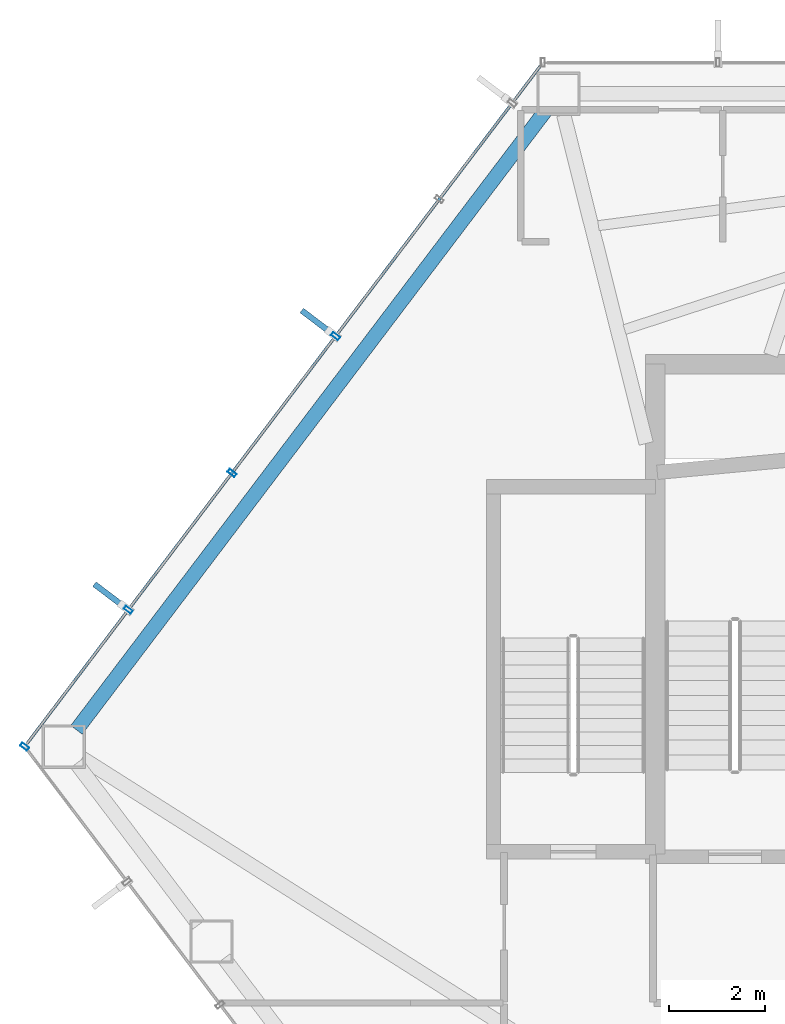
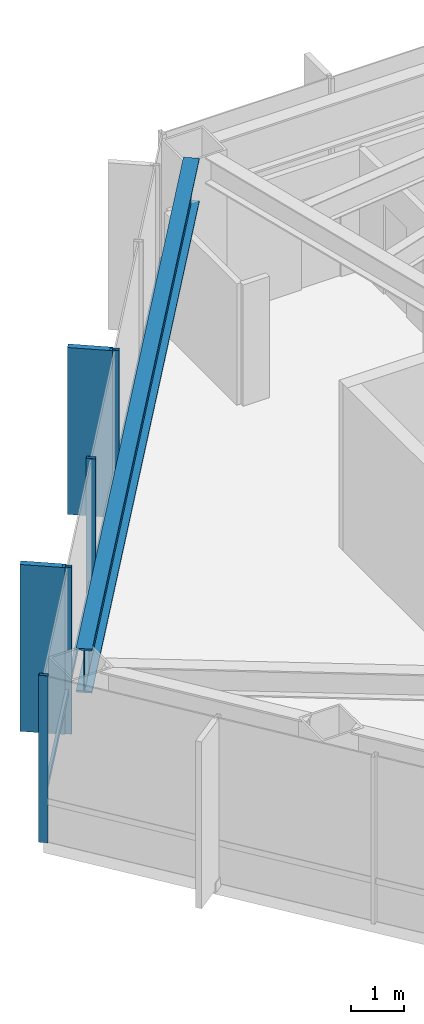
# One storey, part 10 of 24: 7 members, 1 beam, 1 element without a shape of its own.
"""IFC4 building model written with IfcOpenShell, lengths in metres."""

import ifcopenshell
import ifcopenshell.guid

model = None  # the IFC model being written
_history = None  # IfcOwnerHistory: only IFC2X3 demands one
_inside = {}  # id of a spatial element -> (the spatial element, [elements in it])
_under = {}  # id of a project, library or spatial element -> (it, [spatial elements below it])
_declared = {}  # id of a project -> (the project, [libraries it declares])
_typed = {}  # id of a type object -> (the type object, [elements of that type])
_made_of = {}  # id of a material, layer set ... -> (it, [elements and type objects made of it])


def new_model(schema):
    """Start an empty IFC model of exactly this schema.

    Asked for "IFC4X3", IfcOpenShell would pick the latest addendum, in which some entities
    have other attributes; the version numbers below select the first issue.
    IFC2X3 requires an IfcOwnerHistory on every rooted entity: one is made here for all.
    """
    global model, _history
    if schema == "IFC4X3":
        model = ifcopenshell.file(schema_version=(4, 3, 0, 0))
    else:
        model = ifcopenshell.file(schema=schema)
    _inside.clear()
    _under.clear()
    _declared.clear()
    _typed.clear()
    _made_of.clear()
    _history = None
    if model.schema == "IFC2X3":
        org = make("IfcOrganization", Name="unknown")
        user = make(
            "IfcPersonAndOrganization",
            ThePerson=make("IfcPerson", FamilyName="unknown"),
            TheOrganization=org,
        )
        app = make(
            "IfcApplication",
            ApplicationDeveloper=org,
            Version="unknown",
            ApplicationFullName="unknown",
            ApplicationIdentifier="unknown",
        )
        _history = make(
            "IfcOwnerHistory",
            OwningUser=user,
            OwningApplication=app,
            ChangeAction="ADDED",
            CreationDate=0,
        )
    return model


def make(cls, **values):
    """One entity of the class cls with the attributes given. An attribute that is None is left unset."""
    return model.create_entity(
        cls, **{name: value for name, value in values.items() if value is not None}
    )


def rooted(cls, **values):
    """An entity with a GlobalId (a new one), such as an element, a storey or a relation."""
    return make(cls, GlobalId=ifcopenshell.guid.new(), OwnerHistory=_history, **values)


def si_unit(unit_type, name, prefix=None):
    """IfcSIUnit, for example si_unit("LENGTHUNIT", "METRE", prefix="MILLI")."""
    return make("IfcSIUnit", UnitType=unit_type, Prefix=prefix, Name=name)


def assignment(units):
    """IfcUnitAssignment: the units of a project."""
    return None if units is None else make("IfcUnitAssignment", Units=units)


def point(xyz):
    """IfcCartesianPoint."""
    return None if xyz is None else make("IfcCartesianPoint", Coordinates=xyz)


def direction(xyz):
    """IfcDirection."""
    return None if xyz is None else make("IfcDirection", DirectionRatios=xyz)


def frame(location, z_axis=None, x_axis=None):
    """IfcAxis2Placement3D, a coordinate frame: its origin and axes. An axis left out is left unset."""
    return make(
        "IfcAxis2Placement3D",
        Location=point(location),
        Axis=direction(z_axis),
        RefDirection=direction(x_axis),
    )


def frame_2d(location, x_axis=None):
    """IfcAxis2Placement2D, a coordinate frame in the plane: its origin and x axis."""
    return make(
        "IfcAxis2Placement2D", Location=point(location), RefDirection=direction(x_axis)
    )


def origin():
    """The frame at (0, 0, 0) with its axes left unset."""
    return frame((0.0, 0.0, 0.0))


def origin_2d():
    """The frame at (0, 0) in the plane with its x axis left unset."""
    return frame_2d((0.0, 0.0))


def place(relative_to, where):
    """IfcLocalPlacement: puts the frame where relative to a parent placement (None: the world)."""
    return make(
        "IfcLocalPlacement", PlacementRelTo=relative_to, RelativePlacement=where
    )


def context(
    kind, dimensions, precision=None, world=None, true_north=None, identifier=None
):
    """IfcGeometricRepresentationContext, for example the 3D "Model" context."""
    return make(
        "IfcGeometricRepresentationContext",
        ContextIdentifier=identifier,
        ContextType=kind,
        CoordinateSpaceDimension=dimensions,
        Precision=precision,
        WorldCoordinateSystem=world,
        TrueNorth=true_north,
    )


def subcontext(parent, identifier, kind, view, scale=None):
    """IfcGeometricRepresentationSubContext, for example "Body" below "Model"."""
    return make(
        "IfcGeometricRepresentationSubContext",
        ContextIdentifier=identifier,
        ContextType=kind,
        ParentContext=parent,
        TargetScale=scale,
        TargetView=view,
    )


def project(units=None, contexts=None):
    """IfcProject with its units and contexts."""
    return rooted(
        "IfcProject",
        Name="project",
        RepresentationContexts=contexts,
        UnitsInContext=assignment(units),
    )


def spatial(cls, under=None, at=None, **own):
    """A site, building, storey or space (cls), placed at a placement, below another one or the project."""
    s = rooted(cls, ObjectPlacement=at, **own)
    if under is not None:
        _under.setdefault(under.id(), (under, []))[1].append(s)
    return s


def profile(cls, at=None, kind="AREA", **sizes):
    """A parametric profile (cls). Its sizes go by their IFC names, for example OverallWidth=200.0."""
    return make(cls, ProfileType=kind, Position=at, **sizes)


def rectangle(**sizes):
    """IfcRectangleProfileDef."""
    return profile("IfcRectangleProfileDef", **sizes)


def hollow_rectangle(**sizes):
    """IfcRectangleHollowProfileDef."""
    return profile("IfcRectangleHollowProfileDef", **sizes)


def i_section(**sizes):
    """IfcIShapeProfileDef."""
    return profile("IfcIShapeProfileDef", **sizes)


def extrude(swept, where, along, depth):
    """IfcExtrudedAreaSolid: the profile swept, set in the frame where, extruded along a direction by depth."""
    return make(
        "IfcExtrudedAreaSolid",
        SweptArea=swept,
        Position=where,
        ExtrudedDirection=direction(along),
        Depth=depth,
    )


def shape(context_of_items, identifier, shape_type, items):
    """IfcShapeRepresentation: the items that make up one representation, for example the "Body"."""
    return make(
        "IfcShapeRepresentation",
        ContextOfItems=context_of_items,
        RepresentationIdentifier=identifier,
        RepresentationType=shape_type,
        Items=items,
    )


def material(Name=None, Category=None):
    """IfcMaterial."""
    return make("IfcMaterial", Name=Name, Category=Category)


def layer(
    of_material, thickness, ventilated=None, Name=None, Category=None, Priority=None
):
    """IfcMaterialLayer: one layer of a wall or slab, of a material (None: an air gap)."""
    return make(
        "IfcMaterialLayer",
        Material=of_material,
        LayerThickness=thickness,
        IsVentilated=ventilated,
        Name=Name,
        Category=Category,
        Priority=Priority,
    )


def layer_set(layers, Name=None):
    """IfcMaterialLayerSet."""
    return make("IfcMaterialLayerSet", MaterialLayers=layers, LayerSetName=Name)


def material_profile(
    of_material, cross_section, Name=None, Category=None, Priority=None
):
    """IfcMaterialProfile: a cross section and its material."""
    return make(
        "IfcMaterialProfile",
        Name=Name,
        Material=of_material,
        Profile=cross_section,
        Priority=Priority,
        Category=Category,
    )


def profile_set(profiles, Name=None, composite=None):
    """IfcMaterialProfileSet."""
    return make(
        "IfcMaterialProfileSet",
        Name=Name,
        MaterialProfiles=profiles,
        CompositeProfile=composite,
    )


def made_of(thing, what):
    """Note that an element or type object is made of a material, layer set ...; save() writes the relation."""
    if what is not None:
        _made_of.setdefault(what.id(), (what, []))[1].append(thing)
    return thing


def type_object(cls, material=None, **own):
    """A type object (cls), such as IfcWallType, which elements share."""
    return made_of(rooted(cls, **own), material)


def element(
    cls,
    number,
    at=None,
    inside=None,
    cuts=None,
    type_object=None,
    material=None,
    context=None,
    identifier="Body",
    shape_type=None,
    held_by="IfcProductDefinitionShape",
    body=None,
    shapes=None,
    **own,
):
    """One element of the class cls, such as IfcWall. Its Tag is "e" and its number.

    at: its placement. inside: the storey or other place that contains it. cuts: it is an
    opening in that element (IfcRelVoidsElement). A single representation is given by context,
    identifier, shape_type and body (its items); several are given by shapes. held_by: the class
    of the entity that holds the representations. save() writes the other relations.
    """
    e = rooted(cls, Tag="e%d" % number, ObjectPlacement=at, **own)
    if body is not None:
        shapes = [shape(context, identifier, shape_type, body)]
    if shapes is not None:
        e.Representation = make(held_by, Representations=shapes)
    if inside is not None:
        _inside.setdefault(inside.id(), (inside, []))[1].append(e)
    if cuts is not None:
        rooted(
            "IfcRelVoidsElement", RelatingBuildingElement=cuts, RelatedOpeningElement=e
        )
    if type_object is not None:
        _typed.setdefault(type_object.id(), (type_object, []))[1].append(e)
    return made_of(e, material)


def aggregate(whole, parts):
    """IfcRelAggregates: a whole, such as a stair, and the parts it consists of."""
    return rooted("IfcRelAggregates", RelatingObject=whole, RelatedObjects=parts)


def save(model, path):
    """Write the relations noted so far, then the file.

    IfcRelAggregates (storeys below a building ...), IfcRelContainedInSpatialStructure (elements
    in a storey), IfcRelDefinesByType, IfcRelAssociatesMaterial and IfcRelDeclares: one each for
    every whole, place, type object, material and project.
    """
    for whole, parts in _under.values():
        aggregate(whole, parts)
    for where, things in _inside.values():
        rooted(
            "IfcRelContainedInSpatialStructure",
            RelatedElements=things,
            RelatingStructure=where,
        )
    for kind, things in _typed.values():
        rooted("IfcRelDefinesByType", RelatedObjects=things, RelatingType=kind)
    for what, things in _made_of.values():
        rooted("IfcRelAssociatesMaterial", RelatedObjects=things, RelatingMaterial=what)
    for by, libraries in _declared.values():
        rooted("IfcRelDeclares", RelatingContext=by, RelatedDefinitions=libraries)
    model.write(path)


model = new_model("IFC4")

# Units and contexts
model_context = context("Model", 3, precision=1e-05, world=origin(), true_north=direction((0.0, 1.0)))
body_context = subcontext(model_context, "Body", "Model", "MODEL_VIEW")
ifc_project = project(units=[si_unit("LENGTHUNIT", "METRE"), si_unit("AREAUNIT", "SQUARE_METRE"), si_unit("VOLUMEUNIT", "CUBIC_METRE"), si_unit("PLANEANGLEUNIT", "RADIAN"), si_unit("MASSUNIT", "GRAM", prefix="KILO")], contexts=[model_context])

# Site, building, storey
site_placement = place(None, origin())
site = spatial("IfcSite", under=ifc_project, at=site_placement, CompositionType="ELEMENT")
building_placement = place(site_placement, origin())
building = spatial("IfcBuilding", under=site, at=building_placement, Name="Zarrinselat Tower", CompositionType="ELEMENT")
storey_placement = place(building_placement, frame((0.0, 0.0, 76.5)))
storey = spatial("IfcBuildingStorey", under=building, at=storey_placement, Name="L18", CompositionType="ELEMENT", Elevation=76.5)

# Beam
ifc_material_1 = material(Name="Steel S460M", Category="steel")
ifc_material_profile_1 = material_profile(ifc_material_1, i_section(OverallWidth=0.302001953125, OverallDepth=1.008056640625, WebThickness=0.02099609375, FlangeThickness=0.0400390625, at=origin_2d()), Name="HEM 1000")
ifc_profile_set_1 = profile_set([ifc_material_profile_1], Name="Steel S460M")
beam_type = type_object("IfcBeamType", Name="BM-HEM1000", PredefinedType="BEAM", material=ifc_profile_set_1)
beam_placement = place(storey_placement, frame((16.54541015625, 35.8359375, 3.31591796875), z_axis=(0.603853040214, 0.797095669179, 0.0), x_axis=(-0.797095669179, 0.603853040214, 0.0)))
element("IfcBeam", 1, at=beam_placement, inside=storey, type_object=beam_type, Name="L18 Perimeter Spandrel Girder SP05", PredefinedType="BEAM", context=body_context, shape_type="SweptSolid", body=[
    extrude(i_section(OverallWidth=0.302001953125, OverallDepth=1.008056640625, WebThickness=0.02099609375, FlangeThickness=0.0400390625, at=origin_2d()), origin(), (0.0, 0.0, 1.0), 16.181396484375),
])

# Curtain wall, members
ifc_material_2 = material(Name="Extruded Aluminium Alloy EN AW-6063 T6", Category="aluminium")
ifc_layer = layer(ifc_material_2, 0.18505859375)
ifc_layer_set = layer_set([ifc_layer], Name="Extruded Aluminium Alloy EN AW-6063 T6")
curtain_wall_type = type_object("IfcCurtainWallType", Name="CWS-OFF", PredefinedType="NOTDEFINED", material=ifc_layer_set)
curtain_wall_placement = place(storey_placement, origin())
curtain_wall = element("IfcCurtainWall", 2, at=curtain_wall_placement, inside=storey, type_object=curtain_wall_type, Name="L18 Unitised Curtain Wall CW-L18-E02", PredefinedType="NOTDEFINED")
ifc_material_3 = material(Name="Extruded Aluminium Alloy EN AW-6063 T6", Category="aluminium")
ifc_material_profile_2 = material_profile(ifc_material_3, hollow_rectangle(XDim=0.080078125, YDim=0.179931640625, WallThickness=0.0048828125, at=origin_2d()), Name="RHS 180x80x5")
ifc_profile_set_2 = profile_set([ifc_material_profile_2], Name="Extruded Aluminium Alloy EN AW-6063 T6")
member_type_1 = type_object("IfcMemberType", Name="MEM-CW-MUL", PredefinedType="MULLION", material=ifc_profile_set_2)
member_1_placement = place(storey_placement, frame((21.941162109375, 44.03466796875, 0.0), z_axis=(0.0, 0.0, 1.0), x_axis=(-0.60385671849, -0.797092882627, 0.0)))
member_1 = element("IfcMember", 3, at=member_1_placement, type_object=member_type_1, Name="CW-L18-E02 Mullion 3", PredefinedType="MULLION", context=body_context, shape_type="SweptSolid", body=[
    extrude(hollow_rectangle(XDim=0.080078125, YDim=0.179931640625, WallThickness=0.0048828125, at=origin_2d()), origin(), (0.0, 0.0, 1.0), 3.820068359375),
])
member_2_placement = place(storey_placement, frame((19.78271484375, 41.185546875, 0.0), z_axis=(0.0, 0.0, 1.0), x_axis=(-0.60385671849, -0.797092882627, 0.0)))
member_2 = element("IfcMember", 4, at=member_2_placement, type_object=member_type_1, Name="CW-L18-E02 Mullion 4", PredefinedType="MULLION", context=body_context, shape_type="SweptSolid", body=[
    extrude(hollow_rectangle(XDim=0.080078125, YDim=0.179931640625, WallThickness=0.0048828125, at=origin_2d()), origin(), (0.0, 0.0, 1.0), 3.820068359375),
])
member_3_placement = place(storey_placement, frame((17.6240234375, 38.336181640625, 0.0), z_axis=(0.0, 0.0, 1.0), x_axis=(-0.60385671849, -0.797092882627, 0.0)))
member_3 = element("IfcMember", 5, at=member_3_placement, type_object=member_type_1, Name="CW-L18-E02 Mullion 5", PredefinedType="MULLION", context=body_context, shape_type="SweptSolid", body=[
    extrude(hollow_rectangle(XDim=0.080078125, YDim=0.179931640625, WallThickness=0.0048828125, at=origin_2d()), origin(), (0.0, 0.0, 1.0), 3.820068359375),
])
member_4_placement = place(storey_placement, frame((15.465576171875, 35.48681640625, 0.0), z_axis=(0.0, 0.0, 1.0), x_axis=(-0.60385671849, -0.797092882627, 0.0)))
member_4 = element("IfcMember", 6, at=member_4_placement, type_object=member_type_1, Name="CW-L18-E02 Mullion 6", PredefinedType="MULLION", context=body_context, shape_type="SweptSolid", body=[
    extrude(hollow_rectangle(XDim=0.080078125, YDim=0.179931640625, WallThickness=0.0048828125, at=origin_2d()), origin(), (0.0, 0.0, 1.0), 3.820068359375),
])
ifc_material_4 = material(Name="Extruded Aluminium Alloy EN AW-6063 T6", Category="aluminium")
ifc_material_profile_3 = material_profile(ifc_material_4, hollow_rectangle(XDim=0.06005859375, YDim=0.139892578125, WallThickness=0.00390625, at=origin_2d()), Name="RHS 140x60x4")
ifc_profile_set_3 = profile_set([ifc_material_profile_3], Name="Extruded Aluminium Alloy EN AW-6063 T6")
member_type_2 = type_object("IfcMemberType", Name="MEM-CW-TRN", PredefinedType="USERDEFINED", material=ifc_profile_set_3)
member_5_placement = place(storey_placement, frame((26.203857421875, 49.66162109375, 0.949951171875), z_axis=(-0.603856625322, -0.797092953209, 0.0), x_axis=(0.797092953209, -0.603856625322, 0.0)))
member_5 = element("IfcMember", 7, at=member_5_placement, type_object=member_type_2, Name="CW-L18-E02 Transom 1", ObjectType="TRANSOM", PredefinedType="USERDEFINED", context=body_context, shape_type="SweptSolid", body=[
    extrude(hollow_rectangle(XDim=0.06005859375, YDim=0.139892578125, WallThickness=0.00390625, at=origin_2d()), origin(), (0.0, 0.0, 1.0), 17.693115234375),
])
ifc_material_5 = material(Name="Honed Cream Travertine Stone", Category="masonry")
ifc_material_profile_4 = material_profile(ifc_material_5, rectangle(XDim=0.1201171875, YDim=0.85009765625, at=origin_2d()), Name="FIN 850x120")
ifc_profile_set_4 = profile_set([ifc_material_profile_4], Name="Honed Cream Travertine Stone")
member_type_3 = type_object("IfcMemberType", Name="MEM-STONE-FIN", PredefinedType="USERDEFINED", material=ifc_profile_set_4)
member_6_placement = place(storey_placement, frame((21.574462890625, 44.3125, 0.0), z_axis=(0.0, 0.0, 1.0), x_axis=(0.60385671849, 0.797092882627, 0.0)))
member_6 = element("IfcMember", 8, at=member_6_placement, type_object=member_type_3, Name="L18 Stone Shading Fin CW-L18-E02-03", ObjectType="FIN", PredefinedType="USERDEFINED", context=body_context, shape_type="SweptSolid", body=[
    extrude(rectangle(XDim=0.1201171875, YDim=0.85009765625, at=origin_2d()), origin(), (0.0, 0.0, 1.0), 3.820068359375),
])
member_7_placement = place(storey_placement, frame((17.25732421875, 38.614013671875, 0.0), z_axis=(0.0, 0.0, 1.0), x_axis=(0.60385671849, 0.797092882627, 0.0)))
member_7 = element("IfcMember", 9, at=member_7_placement, type_object=member_type_3, Name="L18 Stone Shading Fin CW-L18-E02-05", ObjectType="FIN", PredefinedType="USERDEFINED", context=body_context, shape_type="SweptSolid", body=[
    extrude(rectangle(XDim=0.1201171875, YDim=0.85009765625, at=origin_2d()), origin(), (0.0, 0.0, 1.0), 3.820068359375),
])
aggregate(curtain_wall, [member_1, member_6, member_2, member_3, member_7, member_4, member_5])

save(model, "model.ifc")
